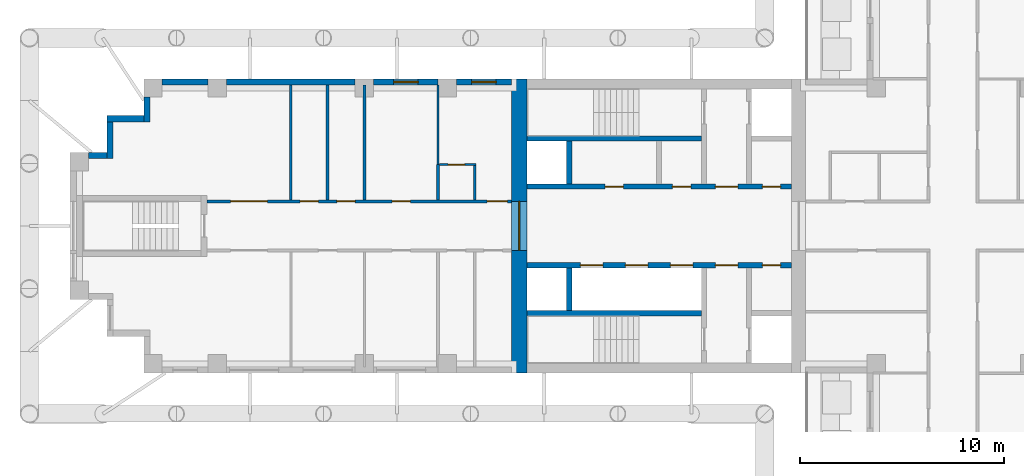
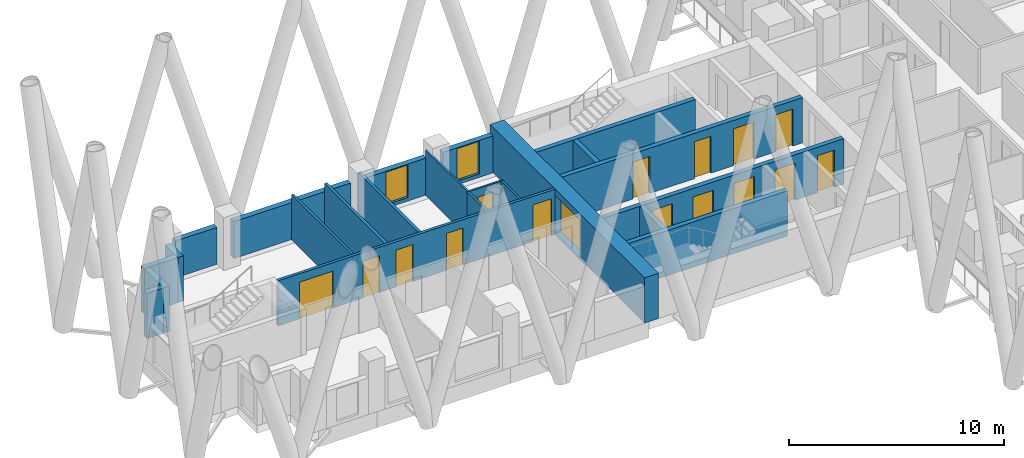
# One storey, part 7 of 16: 23 walls, 16 doors, 2 windows, 18 openings.
"""IFC4 building model written with IfcOpenShell, lengths in metres."""

from ifc_helpers import new_model, si_unit, direction, frame, frame_2d, origin, place, context, subcontext, project, spatial, rectangle, extrude, material, layer, layer_set, type_object, element, fill, save


model = new_model("IFC4")

# Units and contexts
model_context = context("Model", 3, precision=1e-05, world=origin(), true_north=direction((0.0, 1.0)))
body_context = subcontext(model_context, "Body", "Model", "MODEL_VIEW")
ifc_project = project(units=[si_unit("LENGTHUNIT", "METRE"), si_unit("AREAUNIT", "SQUARE_METRE"), si_unit("VOLUMEUNIT", "CUBIC_METRE"), si_unit("PLANEANGLEUNIT", "RADIAN"), si_unit("MASSUNIT", "GRAM", prefix="KILO")], contexts=[model_context])

# Site, building, storey
site_placement = place(None, origin())
site = spatial("IfcSite", under=ifc_project, at=site_placement, CompositionType="ELEMENT")
building_placement = place(site_placement, origin())
building = spatial("IfcBuilding", under=site, at=building_placement, Name="Fustian Cross Tower", CompositionType="ELEMENT")
storey_placement = place(building_placement, frame((0.0, 0.0, 20.699951171875)))
storey = spatial("IfcBuildingStorey", under=building, at=storey_placement, Name="L05", CompositionType="ELEMENT", Elevation=20.699951171875)

# Wall, openings, doors
ifc_material_1 = material(Name="Plasterboard on steel stud", Category="steel")
ifc_layer_1 = layer(ifc_material_1, 0.14990234375)
ifc_layer_set_1 = layer_set([ifc_layer_1], Name="Plasterboard on steel stud")
wall_type_1 = type_object("IfcWallType", Name="COMPARTMENT WALL 150 EI 60", PredefinedType="PARTITIONING", material=ifc_layer_set_1)
wall_1_placement = place(storey_placement, frame((-36.5, 1.199951171875, 0.0), z_axis=(0.0, 0.0, 1.0), x_axis=(1.0, 0.0, 0.0)))
wall_1 = element("IfcWall", 1, at=wall_1_placement, inside=storey, type_object=wall_type_1, Name="Partition 2", PredefinedType="PARTITIONING", context=body_context, shape_type="SweptSolid", body=[
    extrude(rectangle(XDim=14.89990234375, YDim=0.14990234375, at=frame_2d((7.449951171875, 0.0))), origin(), (0.0, 0.0, 1.0), 2.574951171875),
])
opening_1_placement = place(wall_1_placement, frame((13.699951171875, 0.0, 0.0)))
opening_1 = element("IfcOpeningElement", 2, at=opening_1_placement, cuts=wall_1, Name="Opening D05045", PredefinedType="OPENING", context=body_context, shape_type="SweptSolid", body=[
    extrude(rectangle(XDim=1.0, YDim=2.10009765625, at=frame_2d((0.5, 1.050048828125))), frame((0.0, 0.0849609375, 0.0), z_axis=(0.0, -1.0, 0.0), x_axis=(1.0, 0.0, 0.0)), (0.0, 0.0, 1.0), 0.169921875),
])
opening_2_placement = place(wall_1_placement, frame((9.050048828125, 0.0, 0.0)))
opening_2 = element("IfcOpeningElement", 3, at=opening_2_placement, cuts=wall_1, Name="Opening D05046", PredefinedType="OPENING", context=body_context, shape_type="SweptSolid", body=[
    extrude(rectangle(XDim=0.89990234375, YDim=2.10009765625, at=frame_2d((0.449951171875, 1.050048828125))), frame((0.0, 0.0849609375, 0.0), z_axis=(0.0, -1.0, 0.0), x_axis=(1.0, 0.0, 0.0)), (0.0, 0.0, 1.0), 0.169921875),
])
opening_3_placement = place(wall_1_placement, frame((6.35009765625, 0.0, 0.0)))
opening_3 = element("IfcOpeningElement", 4, at=opening_3_placement, cuts=wall_1, Name="Opening D05047", PredefinedType="OPENING", context=body_context, shape_type="SweptSolid", body=[
    extrude(rectangle(XDim=0.89990234375, YDim=2.10009765625, at=frame_2d((0.449951171875, 1.050048828125))), frame((0.0, 0.0849609375, 0.0), z_axis=(0.0, -1.0, 0.0), x_axis=(1.0, 0.0, 0.0)), (0.0, 0.0, 1.0), 0.169921875),
])
opening_4_placement = place(wall_1_placement, frame((4.550048828125, 0.0, 0.0)))
opening_4 = element("IfcOpeningElement", 5, at=opening_4_placement, cuts=wall_1, Name="Opening D05048", PredefinedType="OPENING", context=body_context, shape_type="SweptSolid", body=[
    extrude(rectangle(XDim=0.89990234375, YDim=2.10009765625, at=frame_2d((0.449951171875, 1.050048828125))), frame((0.0, 0.0849609375, 0.0), z_axis=(0.0, -1.0, 0.0), x_axis=(1.0, 0.0, 0.0)), (0.0, 0.0, 1.0), 0.169921875),
])
opening_5_placement = place(wall_1_placement, frame((1.14990234375, 0.0, 0.0)))
opening_5 = element("IfcOpeningElement", 6, at=opening_5_placement, cuts=wall_1, Name="Opening D05049", PredefinedType="OPENING", context=body_context, shape_type="SweptSolid", body=[
    extrude(rectangle(XDim=1.800048828125, YDim=2.10009765625, at=frame_2d((0.89990234375, 1.050048828125))), frame((0.0, 0.0849609375, 0.0), z_axis=(0.0, -1.0, 0.0), x_axis=(1.0, 0.0, 0.0)), (0.0, 0.0, 1.0), 0.169921875),
])
ifc_material_2 = material(Name="Timber fire door set", Category="wood")
door_type_1 = type_object("IfcDoorType", Name="FIRE DOUBLE DOOR 1800 FD30S", OperationType="DOUBLE_DOOR_DOUBLE_SWING", PredefinedType="DOOR", material=ifc_material_2)
door_1_placement = place(opening_5_placement, frame((1.800048828125, 0.0, 0.0), z_axis=(0.0, 0.0, 1.0), x_axis=(-1.0, 0.0, 0.0)))
door_1 = element("IfcDoor", 7, at=door_1_placement, inside=storey, type_object=door_type_1, Name="Door D05049", OperationType="DOUBLE_DOOR_DOUBLE_SWING", OverallHeight=2.10009765625, OverallWidth=1.800048828125, PredefinedType="DOOR", context=body_context, shape_type="SweptSolid", body=[
    extrude(rectangle(XDim=1.800048828125, YDim=2.10009765625, at=frame_2d((0.89990234375, 1.050048828125))), frame((0.0, 0.02490234375, 0.0), z_axis=(0.0, -1.0, 0.0), x_axis=(1.0, 0.0, 0.0)), (0.0, 0.0, 1.0), 0.050048828125),
])
fill(opening_5, door_1)
ifc_material_3 = material(Name="Timber fire door set", Category="wood")
door_type_2 = type_object("IfcDoorType", Name="FIRE SWING DOOR 1000 FD30S", OperationType="SINGLE_SWING_LEFT", PredefinedType="DOOR", material=ifc_material_3)
door_2_placement = place(opening_1_placement, origin())
door_2 = element("IfcDoor", 8, at=door_2_placement, inside=storey, type_object=door_type_2, Name="Door D05045", OperationType="SINGLE_SWING_RIGHT", OverallHeight=2.10009765625, OverallWidth=1.0, PredefinedType="DOOR", context=body_context, shape_type="SweptSolid", body=[
    extrude(rectangle(XDim=1.0, YDim=2.10009765625, at=frame_2d((0.5, 1.050048828125))), frame((0.0, 0.02490234375, 0.0), z_axis=(0.0, -1.0, 0.0), x_axis=(1.0, 0.0, 0.0)), (0.0, 0.0, 1.0), 0.050048828125),
])
fill(opening_1, door_2)
ifc_material_4 = material(Name="Timber fire door set", Category="wood")
door_type_3 = type_object("IfcDoorType", Name="FIRE SWING DOOR 900 FD30S", OperationType="SINGLE_SWING_LEFT", PredefinedType="DOOR", material=ifc_material_4)
door_3_placement = place(opening_2_placement, origin())
door_3 = element("IfcDoor", 9, at=door_3_placement, inside=storey, type_object=door_type_3, Name="Door D05046", OperationType="SINGLE_SWING_LEFT", OverallHeight=2.10009765625, OverallWidth=0.89990234375, PredefinedType="DOOR", context=body_context, shape_type="SweptSolid", body=[
    extrude(rectangle(XDim=0.89990234375, YDim=2.10009765625, at=frame_2d((0.449951171875, 1.050048828125))), frame((0.0, 0.02490234375, 0.0), z_axis=(0.0, -1.0, 0.0), x_axis=(1.0, 0.0, 0.0)), (0.0, 0.0, 1.0), 0.050048828125),
])
fill(opening_2, door_3)
door_4_placement = place(opening_3_placement, origin())
door_4 = element("IfcDoor", 10, at=door_4_placement, inside=storey, type_object=door_type_3, Name="Door D05047", OperationType="SINGLE_SWING_RIGHT", OverallHeight=2.10009765625, OverallWidth=0.89990234375, PredefinedType="DOOR", context=body_context, shape_type="SweptSolid", body=[
    extrude(rectangle(XDim=0.89990234375, YDim=2.10009765625, at=frame_2d((0.449951171875, 1.050048828125))), frame((0.0, 0.02490234375, 0.0), z_axis=(0.0, -1.0, 0.0), x_axis=(1.0, 0.0, 0.0)), (0.0, 0.0, 1.0), 0.050048828125),
])
fill(opening_3, door_4)
door_5_placement = place(opening_4_placement, origin())
door_5 = element("IfcDoor", 11, at=door_5_placement, inside=storey, type_object=door_type_3, Name="Door D05048", OperationType="SINGLE_SWING_RIGHT", OverallHeight=2.10009765625, OverallWidth=0.89990234375, PredefinedType="DOOR", context=body_context, shape_type="SweptSolid", body=[
    extrude(rectangle(XDim=0.89990234375, YDim=2.10009765625, at=frame_2d((0.449951171875, 1.050048828125))), frame((0.0, 0.02490234375, 0.0), z_axis=(0.0, -1.0, 0.0), x_axis=(1.0, 0.0, 0.0)), (0.0, 0.0, 1.0), 0.050048828125),
])
fill(opening_4, door_5)

# Walls
for number, where, z_axis, x_axis, name in (
    (12, (-30.60009765625, 1.27490234375, 0.0), (0.0, 0.0, 1.0), (0.0, 1.0, 0.0), "Partition 5"),
    (13, (-28.800048828125, 1.27490234375, 0.0), (0.0, 0.0, 1.0), (0.0, 1.0, 0.0), "Partition 7"),
):
    element("IfcWall", number, at=place(storey_placement, frame(where, z_axis=z_axis, x_axis=x_axis)), inside=storey, type_object=wall_type_1, Name=name, PredefinedType="PARTITIONING", context=body_context, shape_type="SweptSolid", body=[
        extrude(rectangle(XDim=5.625, YDim=0.14990234375, at=frame_2d((2.8125, 0.0))), origin(), (0.0, 0.0, 1.0), 2.574951171875),
    ])

# Wall, opening, door
ifc_material_5 = material(Name="Concrete C80/95", Category="concrete")
ifc_layer_2 = layer(ifc_material_5, 0.75)
ifc_layer_set_2 = layer_set([ifc_layer_2], Name="Concrete C80/95")
wall_type_2 = type_object("IfcWallType", Name="CORE END WALL 750 C80/95", PredefinedType="SHEAR", material=ifc_layer_set_2)
wall_2_placement = place(storey_placement, frame((-21.22509765625, -7.199951171875, 0.0), z_axis=(0.0, 0.0, 1.0), x_axis=(0.0, 1.0, 0.0)))
wall_2 = element("IfcWall", 14, at=wall_2_placement, inside=storey, type_object=wall_type_2, Name="Core end wall", PredefinedType="SHEAR", context=body_context, shape_type="SweptSolid", body=[
    extrude(rectangle(XDim=14.39990234375, YDim=0.75, at=frame_2d((7.199951171875, 0.0))), origin(), (0.0, 0.0, 1.0), 2.574951171875),
])
opening_6_placement = place(wall_2_placement, frame((6.0, 0.0, 0.0)))
opening_6 = element("IfcOpeningElement", 15, at=opening_6_placement, cuts=wall_2, Name="Opening CD-05-28", PredefinedType="OPENING", context=body_context, shape_type="SweptSolid", body=[
    extrude(rectangle(XDim=2.39990234375, YDim=2.199951171875, at=frame_2d((1.199951171875, 1.10009765625))), frame((0.0, 0.385009765625, 0.0), z_axis=(0.0, -1.0, 0.0), x_axis=(1.0, 0.0, 0.0)), (0.0, 0.0, 1.0), 0.77001953125),
])
ifc_material_6 = material(Name="Steel", Category="steel")
door_type_4 = type_object("IfcDoorType", Name="FIRE DOOR FD30S DOUBLE 2400X2200", OperationType="DOUBLE_DOOR_DOUBLE_SWING", PredefinedType="DOOR", material=ifc_material_6)
door_6_placement = place(opening_6_placement, frame((2.39990234375, 0.0, 0.0), z_axis=(0.0, 0.0, 1.0), x_axis=(-1.0, 0.0, 0.0)))
door_6 = element("IfcDoor", 16, at=door_6_placement, inside=storey, type_object=door_type_4, Name="Core door CD-05-28", OperationType="DOUBLE_DOOR_DOUBLE_SWING", OverallHeight=2.199951171875, OverallWidth=2.39990234375, PredefinedType="DOOR", context=body_context, shape_type="SweptSolid", body=[
    extrude(rectangle(XDim=2.39990234375, YDim=2.199951171875, at=frame_2d((1.199951171875, 1.10009765625))), frame((0.0, 0.02490234375, 0.0), z_axis=(0.0, -1.0, 0.0), x_axis=(1.0, 0.0, 0.0)), (0.0, 0.0, 1.0), 0.050048828125),
])
fill(opening_6, door_6)

# Wall, openings, doors
ifc_material_7 = material(Name="Concrete C50/60", Category="concrete")
ifc_layer_3 = layer(ifc_material_7, 0.25)
ifc_layer_set_3 = layer_set([ifc_layer_3], Name="Concrete C50/60")
wall_type_3 = type_object("IfcWallType", Name="CORE LOBBY WALL 250 C50/60", PredefinedType="SHEAR", material=ifc_layer_set_3)
wall_3_placement = place(storey_placement, frame((-7.89990234375, 1.925048828125, 0.0), z_axis=(0.0, 0.0, 1.0), x_axis=(-1.0, 0.0, 0.0)))
wall_3 = element("IfcWall", 17, at=wall_3_placement, inside=storey, type_object=wall_type_3, Name="Core lobby wall", PredefinedType="SHEAR", context=body_context, shape_type="SweptSolid", body=[
    extrude(rectangle(XDim=12.9501953125, YDim=0.25, at=frame_2d((6.47509765625, 0.0))), origin(), (0.0, 0.0, 1.0), 2.574951171875),
])
opening_7_placement = place(wall_3_placement, frame((0.52490234375, 0.0, 0.0)))
opening_7 = element("IfcOpeningElement", 18, at=opening_7_placement, cuts=wall_3, Name="Opening CD-05-23", PredefinedType="OPENING", context=body_context, shape_type="SweptSolid", body=[
    extrude(rectangle(XDim=0.89990234375, YDim=2.10009765625, at=frame_2d((0.449951171875, 1.050048828125))), frame((0.0, 0.135009765625, 0.0), z_axis=(0.0, -1.0, 0.0), x_axis=(1.0, 0.0, 0.0)), (0.0, 0.0, 1.0), 0.27001953125),
])
opening_8_placement = place(wall_3_placement, frame((2.625, 0.0, 0.0)))
opening_8 = element("IfcOpeningElement", 19, at=opening_8_placement, cuts=wall_3, Name="Opening CD-05-25", PredefinedType="OPENING", context=body_context, shape_type="SweptSolid", body=[
    extrude(rectangle(XDim=1.10009765625, YDim=2.10009765625, at=frame_2d((0.550048828125, 1.050048828125))), frame((0.0, 0.135009765625, 0.0), z_axis=(0.0, -1.0, 0.0), x_axis=(1.0, 0.0, 0.0)), (0.0, 0.0, 1.0), 0.27001953125),
])
opening_9_placement = place(wall_3_placement, frame((4.925048828125, 0.0, 0.0)))
opening_9 = element("IfcOpeningElement", 20, at=opening_9_placement, cuts=wall_3, Name="Opening CD-05-29", PredefinedType="OPENING", context=body_context, shape_type="SweptSolid", body=[
    extrude(rectangle(XDim=0.89990234375, YDim=2.10009765625, at=frame_2d((0.449951171875, 1.050048828125))), frame((0.0, 0.135009765625, 0.0), z_axis=(0.0, -1.0, 0.0), x_axis=(1.0, 0.0, 0.0)), (0.0, 0.0, 1.0), 0.27001953125),
])
opening_10_placement = place(wall_3_placement, frame((8.22509765625, 0.0, 0.0)))
opening_10 = element("IfcOpeningElement", 21, at=opening_10_placement, cuts=wall_3, Name="Opening CD-05-30", PredefinedType="OPENING", context=body_context, shape_type="SweptSolid", body=[
    extrude(rectangle(XDim=0.89990234375, YDim=2.10009765625, at=frame_2d((0.449951171875, 1.050048828125))), frame((0.0, 0.135009765625, 0.0), z_axis=(0.0, -1.0, 0.0), x_axis=(1.0, 0.0, 0.0)), (0.0, 0.0, 1.0), 0.27001953125),
])
ifc_material_8 = material(Name="Steel", Category="steel")
door_type_5 = type_object("IfcDoorType", Name="FIRE DOOR FD30S 900X2100", OperationType="SINGLE_SWING_LEFT", PredefinedType="DOOR", material=ifc_material_8)
door_7_placement = place(opening_9_placement, frame((0.89990234375, 0.0, 0.0), z_axis=(0.0, 0.0, 1.0), x_axis=(-1.0, 0.0, 0.0)))
door_7 = element("IfcDoor", 22, at=door_7_placement, inside=storey, type_object=door_type_5, Name="Core door CD-05-29", OperationType="SINGLE_SWING_RIGHT", OverallHeight=2.10009765625, OverallWidth=0.89990234375, PredefinedType="DOOR", context=body_context, shape_type="SweptSolid", body=[
    extrude(rectangle(XDim=0.89990234375, YDim=2.10009765625, at=frame_2d((0.449951171875, 1.050048828125))), frame((0.0, 0.02490234375, 0.0), z_axis=(0.0, -1.0, 0.0), x_axis=(1.0, 0.0, 0.0)), (0.0, 0.0, 1.0), 0.050048828125),
])
fill(opening_9, door_7)
door_8_placement = place(opening_10_placement, frame((0.89990234375, 0.0, 0.0), z_axis=(0.0, 0.0, 1.0), x_axis=(-1.0, 0.0, 0.0)))
door_8 = element("IfcDoor", 23, at=door_8_placement, inside=storey, type_object=door_type_5, Name="Core door CD-05-30", OperationType="SINGLE_SWING_LEFT", OverallHeight=2.10009765625, OverallWidth=0.89990234375, PredefinedType="DOOR", context=body_context, shape_type="SweptSolid", body=[
    extrude(rectangle(XDim=0.89990234375, YDim=2.10009765625, at=frame_2d((0.449951171875, 1.050048828125))), frame((0.0, 0.02490234375, 0.0), z_axis=(0.0, -1.0, 0.0), x_axis=(1.0, 0.0, 0.0)), (0.0, 0.0, 1.0), 0.050048828125),
])
fill(opening_10, door_8)
ifc_material_9 = material(Name="Steel", Category="steel")
door_type_6 = type_object("IfcDoorType", Name="FIRE DOOR FD60S 1100X2100", OperationType="SINGLE_SWING_LEFT", PredefinedType="DOOR", material=ifc_material_9)
door_9_placement = place(opening_8_placement, frame((1.10009765625, 0.0, 0.0), z_axis=(0.0, 0.0, 1.0), x_axis=(-1.0, 0.0, 0.0)))
door_9 = element("IfcDoor", 24, at=door_9_placement, inside=storey, type_object=door_type_6, Name="Core door CD-05-25", OperationType="SINGLE_SWING_RIGHT", OverallHeight=2.10009765625, OverallWidth=1.10009765625, PredefinedType="DOOR", context=body_context, shape_type="SweptSolid", body=[
    extrude(rectangle(XDim=1.10009765625, YDim=2.10009765625, at=frame_2d((0.550048828125, 1.050048828125))), frame((0.0, 0.02490234375, 0.0), z_axis=(0.0, -1.0, 0.0), x_axis=(1.0, 0.0, 0.0)), (0.0, 0.0, 1.0), 0.050048828125),
])
fill(opening_8, door_9)
ifc_material_10 = material(Name="Steel", Category="steel")
door_type_7 = type_object("IfcDoorType", Name="FIRE DOOR FD60S 900X2100", OperationType="SINGLE_SWING_LEFT", PredefinedType="DOOR", material=ifc_material_10)
door_10_placement = place(opening_7_placement, frame((0.89990234375, 0.0, 0.0), z_axis=(0.0, 0.0, 1.0), x_axis=(-1.0, 0.0, 0.0)))
door_10 = element("IfcDoor", 25, at=door_10_placement, inside=storey, type_object=door_type_7, Name="Core door CD-05-23", OperationType="SINGLE_SWING_RIGHT", OverallHeight=2.10009765625, OverallWidth=0.89990234375, PredefinedType="DOOR", context=body_context, shape_type="SweptSolid", body=[
    extrude(rectangle(XDim=0.89990234375, YDim=2.10009765625, at=frame_2d((0.449951171875, 1.050048828125))), frame((0.0, 0.02490234375, 0.0), z_axis=(0.0, -1.0, 0.0), x_axis=(1.0, 0.0, 0.0)), (0.0, 0.0, 1.0), 0.050048828125),
])
fill(opening_7, door_10)

wall_4_placement = place(storey_placement, frame((-7.89990234375, -1.925048828125, 0.0), z_axis=(0.0, 0.0, 1.0), x_axis=(-1.0, 0.0, 0.0)))
wall_4 = element("IfcWall", 26, at=wall_4_placement, inside=storey, type_object=wall_type_3, Name="Core lobby wall", PredefinedType="SHEAR", context=body_context, shape_type="SweptSolid", body=[
    extrude(rectangle(XDim=12.9501953125, YDim=0.25, at=frame_2d((6.47509765625, 0.0))), origin(), (0.0, 0.0, 1.0), 2.574951171875),
])
opening_11_placement = place(wall_4_placement, frame((4.824951171875, 0.0, 0.0)))
opening_11 = element("IfcOpeningElement", 27, at=opening_11_placement, cuts=wall_4, Name="Opening LD", PredefinedType="OPENING", context=body_context, shape_type="SweptSolid", body=[
    extrude(rectangle(XDim=1.10009765625, YDim=2.10009765625, at=frame_2d((0.550048828125, 1.050048828125))), frame((0.0, 0.135009765625, 0.0), z_axis=(0.0, -1.0, 0.0), x_axis=(1.0, 0.0, 0.0)), (0.0, 0.0, 1.0), 0.27001953125),
])
opening_12_placement = place(wall_4_placement, frame((7.02490234375, 0.0, 0.0)))
opening_12 = element("IfcOpeningElement", 28, at=opening_12_placement, cuts=wall_4, Name="Opening LD", PredefinedType="OPENING", context=body_context, shape_type="SweptSolid", body=[
    extrude(rectangle(XDim=1.10009765625, YDim=2.10009765625, at=frame_2d((0.550048828125, 1.050048828125))), frame((0.0, 0.135009765625, 0.0), z_axis=(0.0, -1.0, 0.0), x_axis=(1.0, 0.0, 0.0)), (0.0, 0.0, 1.0), 0.27001953125),
])
opening_13_placement = place(wall_4_placement, frame((9.22509765625, 0.0, 0.0)))
opening_13 = element("IfcOpeningElement", 29, at=opening_13_placement, cuts=wall_4, Name="Opening LD", PredefinedType="OPENING", context=body_context, shape_type="SweptSolid", body=[
    extrude(rectangle(XDim=1.10009765625, YDim=2.10009765625, at=frame_2d((0.550048828125, 1.050048828125))), frame((0.0, 0.135009765625, 0.0), z_axis=(0.0, -1.0, 0.0), x_axis=(1.0, 0.0, 0.0)), (0.0, 0.0, 1.0), 0.27001953125),
])
opening_14_placement = place(wall_4_placement, frame((0.52490234375, 0.0, 0.0)))
opening_14 = element("IfcOpeningElement", 30, at=opening_14_placement, cuts=wall_4, Name="Opening CD-05-24", PredefinedType="OPENING", context=body_context, shape_type="SweptSolid", body=[
    extrude(rectangle(XDim=0.89990234375, YDim=2.10009765625, at=frame_2d((0.449951171875, 1.050048828125))), frame((0.0, 0.135009765625, 0.0), z_axis=(0.0, -1.0, 0.0), x_axis=(1.0, 0.0, 0.0)), (0.0, 0.0, 1.0), 0.27001953125),
])
opening_15_placement = place(wall_4_placement, frame((2.625, 0.0, 0.0)))
opening_15 = element("IfcOpeningElement", 31, at=opening_15_placement, cuts=wall_4, Name="Opening CD-05-26", PredefinedType="OPENING", context=body_context, shape_type="SweptSolid", body=[
    extrude(rectangle(XDim=1.10009765625, YDim=2.10009765625, at=frame_2d((0.550048828125, 1.050048828125))), frame((0.0, 0.135009765625, 0.0), z_axis=(0.0, -1.0, 0.0), x_axis=(1.0, 0.0, 0.0)), (0.0, 0.0, 1.0), 0.27001953125),
])
ifc_material_11 = material(Name="Steel", Category="steel")
door_type_8 = type_object("IfcDoorType", Name="FIRE DOOR FD30S 1100X2100", OperationType="SINGLE_SWING_LEFT", PredefinedType="DOOR", material=ifc_material_11)
door_11_placement = place(opening_15_placement, frame((1.10009765625, 0.0, 0.0), z_axis=(0.0, 0.0, 1.0), x_axis=(-1.0, 0.0, 0.0)))
door_11 = element("IfcDoor", 32, at=door_11_placement, inside=storey, type_object=door_type_8, Name="Core door CD-05-26", OperationType="SINGLE_SWING_RIGHT", OverallHeight=2.10009765625, OverallWidth=1.10009765625, PredefinedType="DOOR", context=body_context, shape_type="SweptSolid", body=[
    extrude(rectangle(XDim=1.10009765625, YDim=2.10009765625, at=frame_2d((0.550048828125, 1.050048828125))), frame((0.0, 0.02490234375, 0.0), z_axis=(0.0, -1.0, 0.0), x_axis=(1.0, 0.0, 0.0)), (0.0, 0.0, 1.0), 0.050048828125),
])
fill(opening_15, door_11)
door_12_placement = place(opening_14_placement, origin())
door_12 = element("IfcDoor", 33, at=door_12_placement, inside=storey, type_object=door_type_5, Name="Core door CD-05-24", OperationType="SINGLE_SWING_LEFT", OverallHeight=2.10009765625, OverallWidth=0.89990234375, PredefinedType="DOOR", context=body_context, shape_type="SweptSolid", body=[
    extrude(rectangle(XDim=0.89990234375, YDim=2.10009765625, at=frame_2d((0.449951171875, 1.050048828125))), frame((0.0, 0.02490234375, 0.0), z_axis=(0.0, -1.0, 0.0), x_axis=(1.0, 0.0, 0.0)), (0.0, 0.0, 1.0), 0.050048828125),
])
fill(opening_14, door_12)
ifc_material_12 = material(Name="Stainless steel", Category="steel")
door_type_9 = type_object("IfcDoorType", Name="LIFT LANDING DOOR 1100X2100", OperationType="SLIDING_TO_LEFT", PredefinedType="DOOR", material=ifc_material_12)
door_13_placement = place(opening_11_placement, origin())
door_13 = element("IfcDoor", 34, at=door_13_placement, inside=storey, type_object=door_type_9, Name="Landing door LR1W", OperationType="SLIDING_TO_LEFT", OverallHeight=2.10009765625, OverallWidth=1.10009765625, PredefinedType="DOOR", context=body_context, shape_type="SweptSolid", body=[
    extrude(rectangle(XDim=1.10009765625, YDim=2.10009765625, at=frame_2d((0.550048828125, 1.050048828125))), frame((0.0, 0.02490234375, 0.0), z_axis=(0.0, -1.0, 0.0), x_axis=(1.0, 0.0, 0.0)), (0.0, 0.0, 1.0), 0.050048828125),
])
fill(opening_11, door_13)
door_14_placement = place(opening_12_placement, origin())
door_14 = element("IfcDoor", 35, at=door_14_placement, inside=storey, type_object=door_type_9, Name="Landing door LR2W", OperationType="SLIDING_TO_LEFT", OverallHeight=2.10009765625, OverallWidth=1.10009765625, PredefinedType="DOOR", context=body_context, shape_type="SweptSolid", body=[
    extrude(rectangle(XDim=1.10009765625, YDim=2.10009765625, at=frame_2d((0.550048828125, 1.050048828125))), frame((0.0, 0.02490234375, 0.0), z_axis=(0.0, -1.0, 0.0), x_axis=(1.0, 0.0, 0.0)), (0.0, 0.0, 1.0), 0.050048828125),
])
fill(opening_12, door_14)
door_15_placement = place(opening_13_placement, origin())
door_15 = element("IfcDoor", 36, at=door_15_placement, inside=storey, type_object=door_type_9, Name="Landing door LR3W", OperationType="SLIDING_TO_LEFT", OverallHeight=2.10009765625, OverallWidth=1.10009765625, PredefinedType="DOOR", context=body_context, shape_type="SweptSolid", body=[
    extrude(rectangle(XDim=1.10009765625, YDim=2.10009765625, at=frame_2d((0.550048828125, 1.050048828125))), frame((0.0, 0.02490234375, 0.0), z_axis=(0.0, -1.0, 0.0), x_axis=(1.0, 0.0, 0.0)), (0.0, 0.0, 1.0), 0.050048828125),
])
fill(opening_13, door_15)

# Walls
ifc_material_13 = material(Name="Concrete C50/60", Category="concrete")
ifc_layer_4 = layer(ifc_material_13, 0.25)
ifc_layer_set_4 = layer_set([ifc_layer_4], Name="Concrete C50/60")
wall_type_4 = type_object("IfcWallType", Name="CORE SHAFT WALL 250 C50/60", PredefinedType="SHEAR", material=ifc_layer_set_4)
for number, where, z_axis, x_axis, name in (
    (37, (-12.300048828125, 4.27490234375, 0.0), (0.0, 0.0, 1.0), (-1.0, 0.0, 0.0), "Core shaft wall"),
    (38, (-12.300048828125, -4.27490234375, 0.0), (0.0, 0.0, 1.0), (-1.0, 0.0, 0.0), "Core shaft wall"),
):
    element("IfcWall", number, at=place(storey_placement, frame(where, z_axis=z_axis, x_axis=x_axis)), inside=storey, type_object=wall_type_4, Name=name, PredefinedType="SHEAR", context=body_context, shape_type="SweptSolid", body=[
        extrude(rectangle(XDim=8.550048828125, YDim=0.25, at=frame_2d((4.27490234375, 0.0))), origin(), (0.0, 0.0, 1.0), 2.574951171875),
    ])
ifc_material_14 = material(Name="Plasterboard on steel stud", Category="steel")
ifc_layer_5 = layer(ifc_material_14, 0.10009765625)
ifc_layer_set_5 = layer_set([ifc_layer_5], Name="Plasterboard on steel stud")
wall_type_5 = type_object("IfcWallType", Name="PARTITION 100 STUD", PredefinedType="PARTITIONING", material=ifc_layer_set_5)
wall_5_placement = place(storey_placement, frame((-25.199951171875, 3.0, 0.0), z_axis=(0.0, 0.0, 1.0), x_axis=(0.0, 1.0, 0.0)))
element("IfcWall", 39, at=wall_5_placement, inside=storey, type_object=wall_type_5, Name="Partition 10", PredefinedType="PARTITIONING", context=body_context, shape_type="SweptSolid", body=[
    extrude(rectangle(XDim=3.89990234375, YDim=0.10009765625, at=frame_2d((1.949951171875, 0.0))), origin(), (0.0, 0.0, 1.0), 2.574951171875),
])

# Wall, opening, door
wall_6_placement = place(storey_placement, frame((-25.137451171875, 3.0, 0.0), z_axis=(0.0, 0.0, 1.0), x_axis=(1.0, 0.0, 0.0)))
wall_6 = element("IfcWall", 40, at=wall_6_placement, inside=storey, type_object=wall_type_5, Name="Partition 11", PredefinedType="PARTITIONING", context=body_context, shape_type="SweptSolid", body=[
    extrude(rectangle(XDim=1.787353515625, YDim=0.10009765625, at=frame_2d((0.8935546875, 0.0))), origin(), (0.0, 0.0, 1.0), 2.574951171875),
])
opening_16_placement = place(wall_6_placement, frame((0.4375, 0.0, 0.0)))
opening_16 = element("IfcOpeningElement", 41, at=opening_16_placement, cuts=wall_6, Name="Opening D05044", PredefinedType="OPENING", context=body_context, shape_type="SweptSolid", body=[
    extrude(rectangle(XDim=0.800048828125, YDim=2.10009765625, at=frame_2d((0.39990234375, 1.050048828125))), frame((0.0, 0.06005859375, 0.0), z_axis=(0.0, -1.0, 0.0), x_axis=(1.0, 0.0, 0.0)), (0.0, 0.0, 1.0), 0.1201171875),
])
ifc_material_15 = material(Name="Painted timber", Category="wood")
door_type_10 = type_object("IfcDoorType", Name="SWING DOOR 800", OperationType="SINGLE_SWING_LEFT", PredefinedType="DOOR", material=ifc_material_15)
door_16_placement = place(opening_16_placement, frame((0.800048828125, 0.0, 0.0), z_axis=(0.0, 0.0, 1.0), x_axis=(-1.0, 0.0, 0.0)))
door_16 = element("IfcDoor", 42, at=door_16_placement, inside=storey, type_object=door_type_10, Name="Door D05044", OperationType="SINGLE_SWING_LEFT", OverallHeight=2.10009765625, OverallWidth=0.800048828125, PredefinedType="DOOR", context=body_context, shape_type="SweptSolid", body=[
    extrude(rectangle(XDim=0.800048828125, YDim=2.10009765625, at=frame_2d((0.39990234375, 1.050048828125))), frame((0.0, 0.02490234375, 0.0), z_axis=(0.0, -1.0, 0.0), x_axis=(1.0, 0.0, 0.0)), (0.0, 0.0, 1.0), 0.050048828125),
])
fill(opening_16, door_16)

# Walls
wall_7_placement = place(storey_placement, frame((-23.39990234375, 1.27490234375, 0.0), z_axis=(0.0, 0.0, 1.0), x_axis=(0.0, 1.0, 0.0)))
element("IfcWall", 43, at=wall_7_placement, inside=storey, type_object=wall_type_5, Name="Partition 13", PredefinedType="PARTITIONING", context=body_context, shape_type="SweptSolid", body=[
    extrude(rectangle(XDim=1.675048828125, YDim=0.10009765625, at=frame_2d((0.83740234375, 0.0))), origin(), (0.0, 0.0, 1.0), 2.574951171875),
])
ifc_material_16 = material(Name="Concrete C40/50", Category="concrete")
ifc_layer_6 = layer(ifc_material_16, 0.25)
ifc_layer_set_6 = layer_set([ifc_layer_6], Name="Concrete C40/50")
wall_type_6 = type_object("IfcWallType", Name="SHAFT PARTITION WALL 250 C40/50", PredefinedType="PARTITIONING", material=ifc_layer_set_6)
for number, where, z_axis, x_axis, name in (
    (44, (-18.77490234375, 2.050048828125, 0.0), (0.0, 0.0, 1.0), (0.0, 1.0, 0.0), "Core shaft wall"),
    (45, (-18.77490234375, -2.050048828125, 0.0), (0.0, 0.0, 1.0), (0.0, -1.0, 0.0), "Core shaft wall"),
):
    element("IfcWall", number, at=place(storey_placement, frame(where, z_axis=z_axis, x_axis=x_axis)), inside=storey, type_object=wall_type_6, Name=name, PredefinedType="PARTITIONING", context=body_context, shape_type="SweptSolid", body=[
        extrude(rectangle(XDim=2.099853515625, YDim=0.25, at=frame_2d((1.0498046875, 0.0))), origin(), (0.0, 0.0, 1.0), 2.574951171875),
    ])
ifc_material_17 = material(Name="Plasterboard on steel stud", Category="steel")
ifc_layer_7 = layer(ifc_material_17, 0.125)
ifc_layer_set_7 = layer_set([ifc_layer_7], Name="Plasterboard on steel stud")
wall_type_7 = type_object("IfcWallType", Name="WET WALL 125 STUD", PredefinedType="PARTITIONING", material=ifc_layer_set_7)
wall_8_placement = place(storey_placement, frame((-32.39990234375, 1.27490234375, 0.0), z_axis=(0.0, 0.0, 1.0), x_axis=(0.0, 1.0, 0.0)))
element("IfcWall", 46, at=wall_8_placement, inside=storey, type_object=wall_type_7, Name="Partition 4", PredefinedType="PARTITIONING", context=body_context, shape_type="SweptSolid", body=[
    extrude(rectangle(XDim=5.625, YDim=0.125, at=frame_2d((2.8125, 0.0))), origin(), (0.0, 0.0, 1.0), 2.574951171875),
])
wall_9_placement = place(storey_placement, frame((-25.199951171875, 1.27490234375, 0.0), z_axis=(0.0, 0.0, 1.0), x_axis=(0.0, 1.0, 0.0)))
element("IfcWall", 47, at=wall_9_placement, inside=storey, type_object=wall_type_7, Name="Partition 9", PredefinedType="PARTITIONING", context=body_context, shape_type="SweptSolid", body=[
    extrude(rectangle(XDim=1.72509765625, YDim=0.125, at=frame_2d((0.862548828125, 0.0))), origin(), (0.0, 0.0, 1.0), 2.574951171875),
])

# Wall, opening, window
ifc_material_18 = material(Name="Dark aluminium cladding on insulated backing wall", Category="aluminium")
ifc_layer_8 = layer(ifc_material_18, 0.300048828125)
ifc_layer_set_8 = layer_set([ifc_layer_8], Name="Dark aluminium cladding on insulated backing wall")
wall_type_8 = type_object("IfcWallType", Name="XW1 EXTERNAL WALL 300", PredefinedType="SOLIDWALL", material=ifc_layer_set_8)
wall_10_placement = place(storey_placement, frame((-21.60009765625, 7.050048828125, 0.0), z_axis=(0.0, 0.0, 1.0), x_axis=(-1.0, 0.0, 0.0)))
wall_10 = element("IfcWall", 48, at=wall_10_placement, inside=storey, type_object=wall_type_8, Name="External wall", PredefinedType="SOLIDWALL", context=body_context, shape_type="SweptSolid", body=[
    extrude(rectangle(XDim=2.699951171875, YDim=0.300048828125, at=frame_2d((1.35009765625, 0.0))), origin(), (0.0, 0.0, 1.0), 2.10009765625),
])
opening_17_placement = place(wall_10_placement, frame((0.75, 0.0, 0.199951171875)))
opening_17 = element("IfcOpeningElement", 49, at=opening_17_placement, cuts=wall_10, Name="Opening WN3", PredefinedType="OPENING", context=body_context, shape_type="SweptSolid", body=[
    extrude(rectangle(XDim=1.199951171875, YDim=1.85009765625, at=frame_2d((0.60009765625, 0.925048828125))), frame((0.0, 0.159912109375, 0.0), z_axis=(0.0, -1.0, 0.0), x_axis=(1.0, 0.0, 0.0)), (0.0, 0.0, 1.0), 0.320068359375),
])
ifc_material_19 = material(Name="Dark anodised aluminium and double glazing", Category="aluminium")
window_type = type_object("IfcWindowType", Name="WN3 WINDOW 1200X1850", PartitioningType="SINGLE_PANEL", PredefinedType="WINDOW", material=ifc_material_19)
window_1_placement = place(opening_17_placement, origin())
window_1 = element("IfcWindow", 50, at=window_1_placement, inside=storey, type_object=window_type, Name="Window", OverallHeight=1.85009765625, OverallWidth=1.199951171875, PartitioningType="SINGLE_PANEL", PredefinedType="WINDOW", context=body_context, shape_type="SweptSolid", body=[
    extrude(rectangle(XDim=1.199951171875, YDim=1.85009765625, at=frame_2d((0.60009765625, 0.925048828125))), frame((0.0, 0.030029296875, 0.0), z_axis=(0.0, -1.0, 0.0), x_axis=(1.0, 0.0, 0.0)), (0.0, 0.0, 1.0), 0.06005859375),
])
fill(opening_17, window_1)

wall_11_placement = place(storey_placement, frame((-25.199951171875, 7.050048828125, 0.0), z_axis=(0.0, 0.0, 1.0), x_axis=(-1.0, 0.0, 0.0)))
wall_11 = element("IfcWall", 51, at=wall_11_placement, inside=storey, type_object=wall_type_8, Name="External wall", PredefinedType="SOLIDWALL", context=body_context, shape_type="SweptSolid", body=[
    extrude(rectangle(XDim=3.150146484375, YDim=0.300048828125, at=frame_2d((1.5751953125, 0.0))), origin(), (0.0, 0.0, 1.0), 2.10009765625),
])
opening_18_placement = place(wall_11_placement, frame((0.97509765625, 0.0, 0.199951171875)))
opening_18 = element("IfcOpeningElement", 52, at=opening_18_placement, cuts=wall_11, Name="Opening WN3", PredefinedType="OPENING", context=body_context, shape_type="SweptSolid", body=[
    extrude(rectangle(XDim=1.199951171875, YDim=1.85009765625, at=frame_2d((0.60009765625, 0.925048828125))), frame((0.0, 0.159912109375, 0.0), z_axis=(0.0, -1.0, 0.0), x_axis=(1.0, 0.0, 0.0)), (0.0, 0.0, 1.0), 0.320068359375),
])
window_2_placement = place(opening_18_placement, origin())
window_2 = element("IfcWindow", 53, at=window_2_placement, inside=storey, type_object=window_type, Name="Window", OverallHeight=1.85009765625, OverallWidth=1.199951171875, PartitioningType="SINGLE_PANEL", PredefinedType="WINDOW", context=body_context, shape_type="SweptSolid", body=[
    extrude(rectangle(XDim=1.199951171875, YDim=1.85009765625, at=frame_2d((0.60009765625, 0.925048828125))), frame((0.0, 0.030029296875, 0.0), z_axis=(0.0, -1.0, 0.0), x_axis=(1.0, 0.0, 0.0)), (0.0, 0.0, 1.0), 0.06005859375),
])
fill(opening_18, window_2)

# Walls
wall_12_placement = place(storey_placement, frame((-29.25, 7.050048828125, 0.0), z_axis=(0.0, 0.0, 1.0), x_axis=(-1.0, 0.0, 0.0)))
element("IfcWall", 54, at=wall_12_placement, inside=storey, type_object=wall_type_8, Name="External wall", PredefinedType="SOLIDWALL", context=body_context, shape_type="SweptSolid", body=[
    extrude(rectangle(XDim=6.300048828125, YDim=0.300048828125, at=frame_2d((3.14990234375, 0.0))), origin(), (0.0, 0.0, 1.0), 2.10009765625),
])
wall_13_placement = place(storey_placement, frame((-36.449951171875, 7.050048828125, 0.0), z_axis=(0.0, 0.0, 1.0), x_axis=(-1.0, 0.0, 0.0)))
element("IfcWall", 55, at=wall_13_placement, inside=storey, type_object=wall_type_8, Name="External wall", PredefinedType="SOLIDWALL", context=body_context, shape_type="SweptSolid", body=[
    extrude(rectangle(XDim=2.25, YDim=0.300048828125, at=frame_2d((1.125, 0.0))), origin(), (0.0, 0.0, 1.0), 2.10009765625),
])
wall_14_placement = place(storey_placement, frame((-39.449951171875, 6.300048828125, 0.0), z_axis=(0.0, 0.0, 1.0), x_axis=(0.0, -1.0, 0.0)))
element("IfcWall", 56, at=wall_14_placement, inside=storey, type_object=wall_type_8, Name="External wall", PredefinedType="SOLIDWALL", context=body_context, shape_type="SweptSolid", body=[
    extrude(rectangle(XDim=1.199951171875, YDim=0.300048828125, at=frame_2d((0.60009765625, 0.0))), origin(), (0.0, 0.0, 1.0), 2.574951171875),
])
wall_15_placement = place(storey_placement, frame((-39.60009765625, 5.25, 0.0), z_axis=(0.0, 0.0, 1.0), x_axis=(-1.0, 0.0, 0.0)))
element("IfcWall", 57, at=wall_15_placement, inside=storey, type_object=wall_type_8, Name="External wall", PredefinedType="SOLIDWALL", context=body_context, shape_type="SweptSolid", body=[
    extrude(rectangle(XDim=1.7998046875, YDim=0.300048828125, at=frame_2d((0.89990234375, 0.0))), origin(), (0.0, 0.0, 1.0), 2.574951171875),
])
wall_16_placement = place(storey_placement, frame((-41.25, 5.10009765625, 0.0), z_axis=(0.0, 0.0, 1.0), x_axis=(0.0, -1.0, 0.0)))
element("IfcWall", 58, at=wall_16_placement, inside=storey, type_object=wall_type_8, Name="External wall", PredefinedType="SOLIDWALL", context=body_context, shape_type="SweptSolid", body=[
    extrude(rectangle(XDim=1.800048828125, YDim=0.300048828125, at=frame_2d((0.89990234375, 0.0))), origin(), (0.0, 0.0, 1.0), 2.574951171875),
])
wall_17_placement = place(storey_placement, frame((-41.39990234375, 3.449951171875, 0.0), z_axis=(0.0, 0.0, 1.0), x_axis=(-1.0, 0.0, 0.0)))
element("IfcWall", 59, at=wall_17_placement, inside=storey, type_object=wall_type_8, Name="External wall", PredefinedType="SOLIDWALL", context=body_context, shape_type="SweptSolid", body=[
    extrude(rectangle(XDim=0.900146484375, YDim=0.300048828125, at=frame_2d((0.4501953125, 0.0))), origin(), (0.0, 0.0, 1.0), 2.574951171875),
])

save(model, "model.ifc")
